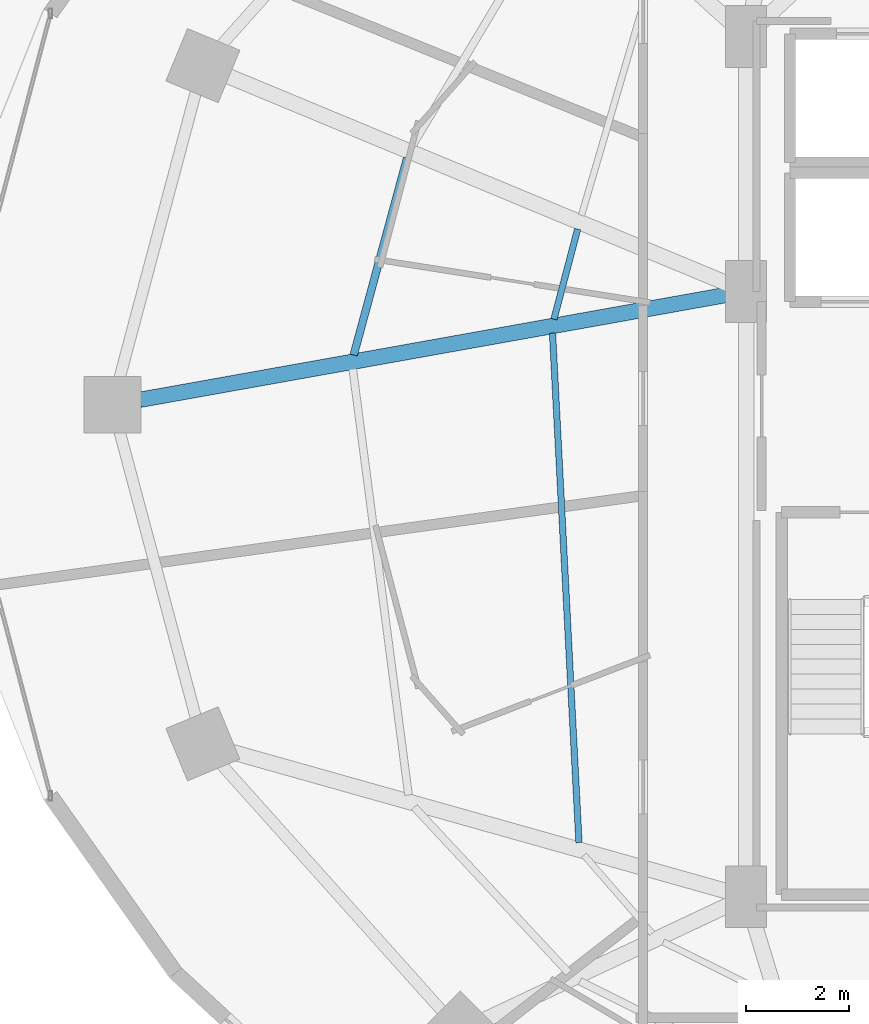
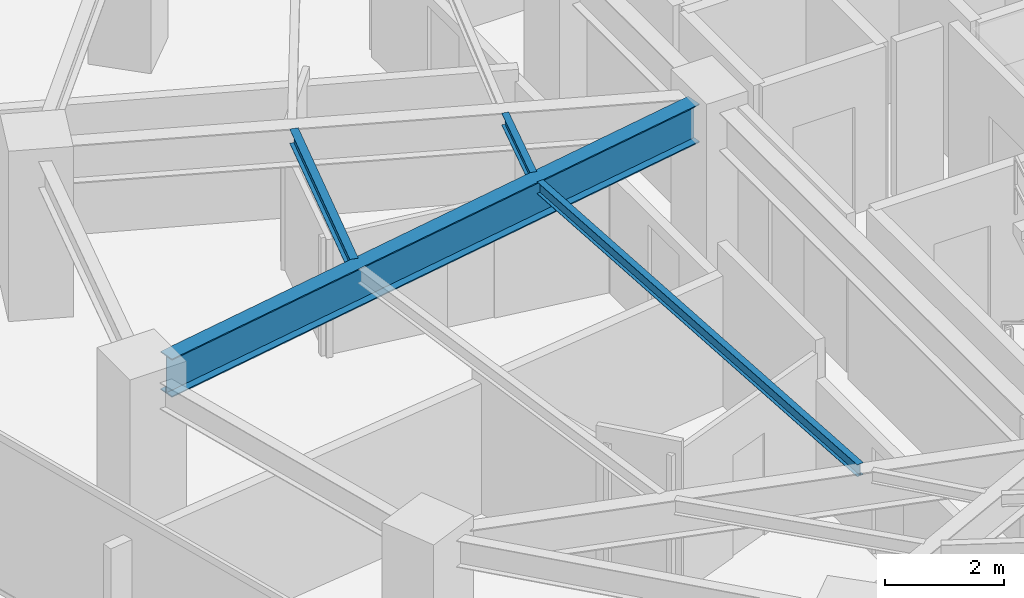
# One storey, part 7 of 30: 4 beams.
"""IFC4 building model written with IfcOpenShell, lengths in metres."""

from ifc_helpers import new_model, si_unit, direction, frame, origin, origin_2d, place, context, subcontext, project, spatial, i_section, extrude, material, material_profile, profile_set, type_object, element, save


model = new_model("IFC4")

# Units and contexts
model_context = context("Model", 3, precision=1e-05, world=origin(), true_north=direction((0.0, 1.0)))
body_context = subcontext(model_context, "Body", "Model", "MODEL_VIEW")
ifc_project = project(units=[si_unit("LENGTHUNIT", "METRE"), si_unit("AREAUNIT", "SQUARE_METRE"), si_unit("VOLUMEUNIT", "CUBIC_METRE"), si_unit("PLANEANGLEUNIT", "RADIAN"), si_unit("MASSUNIT", "GRAM", prefix="KILO")], contexts=[model_context])

# Site, building, storey
site_placement = place(None, origin())
site = spatial("IfcSite", under=ifc_project, at=site_placement, CompositionType="ELEMENT")
building_placement = place(site_placement, origin())
building = spatial("IfcBuilding", under=site, at=building_placement, Name="Vorneva Point Tower", CompositionType="ELEMENT")
storey_placement = place(building_placement, frame((0.0, 0.0, 92.800048828125)))
storey = spatial("IfcBuildingStorey", under=building, at=storey_placement, Name="L24", CompositionType="ELEMENT", Elevation=92.800048828125)

# Beams
ifc_material = material(Name="Steel S355", Category="steel")
ifc_material_profile_1 = material_profile(ifc_material, i_section(OverallWidth=0.300048828125, OverallDepth=0.7880859375, WebThickness=0.014404296875, FlangeThickness=0.02197265625, at=origin_2d()), Name="80Sh1")
ifc_profile_set_1 = profile_set([ifc_material_profile_1], Name="Steel S355")
beam_type_1 = type_object("IfcBeamType", Name="BM-GRD-80Sh1", PredefinedType="USERDEFINED", material=ifc_profile_set_1)
beam_1_placement = place(storey_placement, frame((15.4794921875, 26.0947265625, 2.845947265625), z_axis=(0.984378310682, 0.176066298476, 0.0), x_axis=(-0.176066298476, 0.984378310682, 0.0)))
element("IfcBeam", 1, at=beam_1_placement, inside=storey, type_object=beam_type_1, Name="L24 Radial Primary Girder 09", ObjectType="GIRDER", PredefinedType="USERDEFINED", context=body_context, shape_type="SweptSolid", body=[
    extrude(i_section(OverallWidth=0.300048828125, OverallDepth=0.7880859375, WebThickness=0.014404296875, FlangeThickness=0.02197265625, at=origin_2d()), origin(), (0.0, 0.0, 1.0), 11.6171875),
])
ifc_material_profile_2 = material_profile(ifc_material, i_section(OverallWidth=0.1240234375, OverallDepth=0.248046875, WebThickness=0.0048828125, FlangeThickness=0.008056640625, at=origin_2d()), Name="25B1")
ifc_profile_set_2 = profile_set([ifc_material_profile_2], Name="Steel S355")
beam_type_2 = type_object("IfcBeamType", Name="BM-JST-25B1", PredefinedType="JOIST", material=ifc_profile_set_2)
beam_2_placement = place(storey_placement, frame((23.98046875, 29.41064453125, 3.115966796875), z_axis=(-0.254480022924, -0.967078030943, 0.0), x_axis=(0.967078030943, -0.254480022924, 0.0)))
element("IfcBeam", 2, at=beam_2_placement, inside=storey, type_object=beam_type_2, Name="L24 Secondary Floor Beam 2.08", PredefinedType="JOIST", context=body_context, shape_type="SweptSolid", body=[
    extrude(i_section(OverallWidth=0.1240234375, OverallDepth=0.248046875, WebThickness=0.0048828125, FlangeThickness=0.008056640625, at=origin_2d()), origin(), (0.0, 0.0, 1.0), 1.810302734375),
])
beam_3_placement = place(storey_placement, frame((23.49169921875, 27.388671875, 3.115966796875), z_axis=(0.051893745783, -0.998652611847, 0.0), x_axis=(0.998652611847, 0.051893745783, 0.0)))
element("IfcBeam", 3, at=beam_3_placement, inside=storey, type_object=beam_type_2, Name="L24 Secondary Floor Beam 2.09", PredefinedType="JOIST", context=body_context, shape_type="SweptSolid", body=[
    extrude(i_section(OverallWidth=0.1240234375, OverallDepth=0.248046875, WebThickness=0.0048828125, FlangeThickness=0.008056640625, at=origin_2d()), origin(), (0.0, 0.0, 1.0), 9.9033203125),
])
ifc_material_profile_3 = material_profile(ifc_material, i_section(OverallWidth=0.14892578125, OverallDepth=0.298095703125, WebThickness=0.005615234375, FlangeThickness=0.008056640625, at=origin_2d()), Name="30B1")
ifc_profile_set_3 = profile_set([ifc_material_profile_3], Name="Steel S355")
beam_type_3 = type_object("IfcBeamType", Name="BM-JST-30B1", PredefinedType="JOIST", material=ifc_profile_set_3)
beam_4_placement = place(storey_placement, frame((20.669677734375, 30.7861328125, 3.091064453125), z_axis=(-0.261880909286, -0.965100196535, 0.0), x_axis=(0.965100196535, -0.261880909286, 0.0)))
element("IfcBeam", 4, at=beam_4_placement, inside=storey, type_object=beam_type_3, Name="L24 Secondary Floor Beam 1.08", PredefinedType="JOIST", context=body_context, shape_type="SweptSolid", body=[
    extrude(i_section(OverallWidth=0.14892578125, OverallDepth=0.298095703125, WebThickness=0.005615234375, FlangeThickness=0.008056640625, at=origin_2d()), origin(), (0.0, 0.0, 1.0), 3.960205078125),
])

save(model, "model.ifc")
